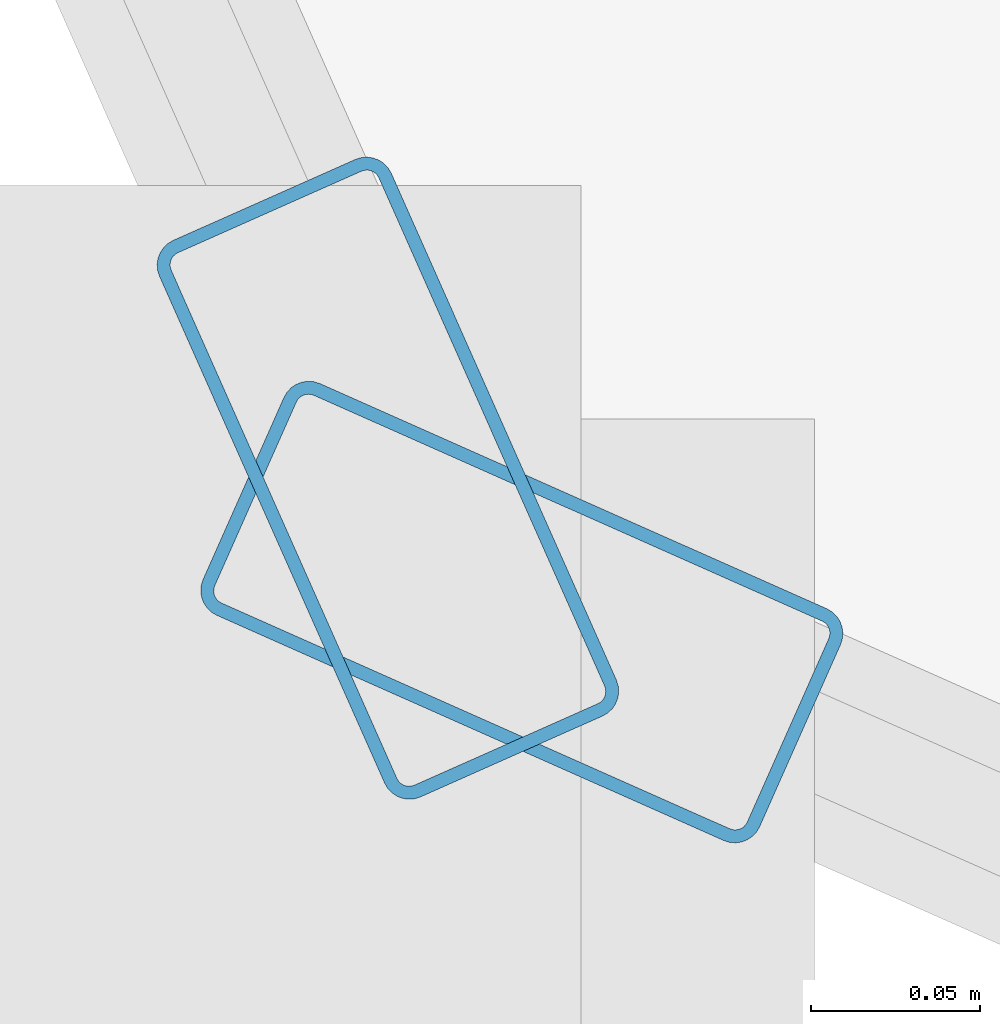
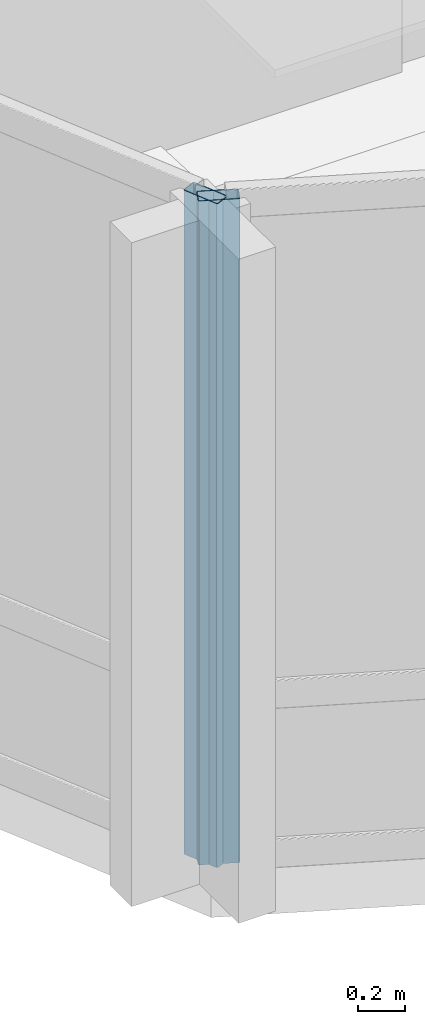
# One storey, part 2 of 28: 2 members, 2 elements without a shape of their own.
"""IFC4 building model written with IfcOpenShell, lengths in metres."""

from ifc_helpers import new_model, si_unit, direction, frame, origin, origin_2d, place, context, subcontext, project, spatial, hollow_rectangle, extrude, material, layer, layer_set, material_profile, profile_set, type_object, element, aggregate, save


model = new_model("IFC4")

# Units and contexts
model_context = context("Model", 3, precision=1e-05, world=origin(), true_north=direction((0.0, 1.0)))
body_context = subcontext(model_context, "Body", "Model", "MODEL_VIEW")
ifc_project = project(units=[si_unit("LENGTHUNIT", "METRE"), si_unit("AREAUNIT", "SQUARE_METRE"), si_unit("VOLUMEUNIT", "CUBIC_METRE"), si_unit("PLANEANGLEUNIT", "RADIAN"), si_unit("MASSUNIT", "GRAM", prefix="KILO")], contexts=[model_context])

# Site, building, storey
site_placement = place(None, origin())
site = spatial("IfcSite", under=ifc_project, at=site_placement, CompositionType="ELEMENT")
building_placement = place(site_placement, origin())
building = spatial("IfcBuilding", under=site, at=building_placement, Name="Solvaryn Broadcast Tower", CompositionType="ELEMENT")
storey_placement = place(building_placement, frame((0.0, 0.0, 110.0)))
storey = spatial("IfcBuildingStorey", under=building, at=storey_placement, Name="L26", CompositionType="ELEMENT", Elevation=110.0)

# Curtain wall, member
ifc_material_1 = material(Name="Aluminium and Terracotta Unitised Curtain Wall", Category="masonry")
ifc_layer = layer(ifc_material_1, 0.199951171875)
ifc_layer_set = layer_set([ifc_layer], Name="CW-SYS2-LOWMID")
curtain_wall_type = type_object("IfcCurtainWallType", Name="CW-SYS2-LOWMID", PredefinedType="NOTDEFINED", material=ifc_layer_set)
curtain_wall_1_placement = place(storey_placement, origin())
curtain_wall_1 = element("IfcCurtainWall", 1, at=curtain_wall_1_placement, inside=storey, type_object=curtain_wall_type, Name="L26 Curtain Wall DR2", PredefinedType="NOTDEFINED")
ifc_material_2 = material(Name="Anodised Aluminium 6063-T6", Category="aluminium")
ifc_material_profile = material_profile(ifc_material_2, hollow_rectangle(XDim=0.074951171875, YDim=0.179931640625, WallThickness=0.00390625, InnerFilletRadius=0.00390625, OuterFilletRadius=0.008056640625, at=origin_2d()))
ifc_profile_set = profile_set([ifc_material_profile], Name="Anodised Aluminium 6063-T6")
member_type = type_object("IfcMemberType", Name="CW-MUL-180", PredefinedType="MULLION", material=ifc_profile_set)
member_1_placement = place(storey_placement, frame((8.895751953125, 8.935302734375, 0.0), z_axis=(0.0, 0.0, 1.0), x_axis=(0.913909311008, 0.405918429309, 0.0)))
member_1 = element("IfcMember", 2, at=member_1_placement, type_object=member_type, Name="CWS2 mullion 2", PredefinedType="MULLION", context=body_context, shape_type="SweptSolid", body=[
    extrude(hollow_rectangle(XDim=0.074951171875, YDim=0.179931640625, WallThickness=0.00390625, InnerFilletRadius=0.00390625, OuterFilletRadius=0.008056640625, at=origin_2d()), origin(), (0.0, 0.0, 1.0), 3.419921875),
])
aggregate(curtain_wall_1, [member_1])

curtain_wall_2_placement = place(storey_placement, origin())
curtain_wall_2 = element("IfcCurtainWall", 3, at=curtain_wall_2_placement, inside=storey, type_object=curtain_wall_type, Name="L26 Curtain Wall DR3", PredefinedType="NOTDEFINED")
member_2_placement = place(storey_placement, frame((8.935302734375, 8.895751953125, 0.0), z_axis=(0.0, 0.0, 1.0), x_axis=(0.405918429309, 0.913909311008, 0.0)))
member_2 = element("IfcMember", 4, at=member_2_placement, type_object=member_type, Name="CWS2 mullion 1", PredefinedType="MULLION", context=body_context, shape_type="SweptSolid", body=[
    extrude(hollow_rectangle(XDim=0.074951171875, YDim=0.179931640625, WallThickness=0.00390625, InnerFilletRadius=0.00390625, OuterFilletRadius=0.008056640625, at=origin_2d()), origin(), (0.0, 0.0, 1.0), 3.419921875),
])
aggregate(curtain_wall_2, [member_2])

save(model, "model.ifc")
